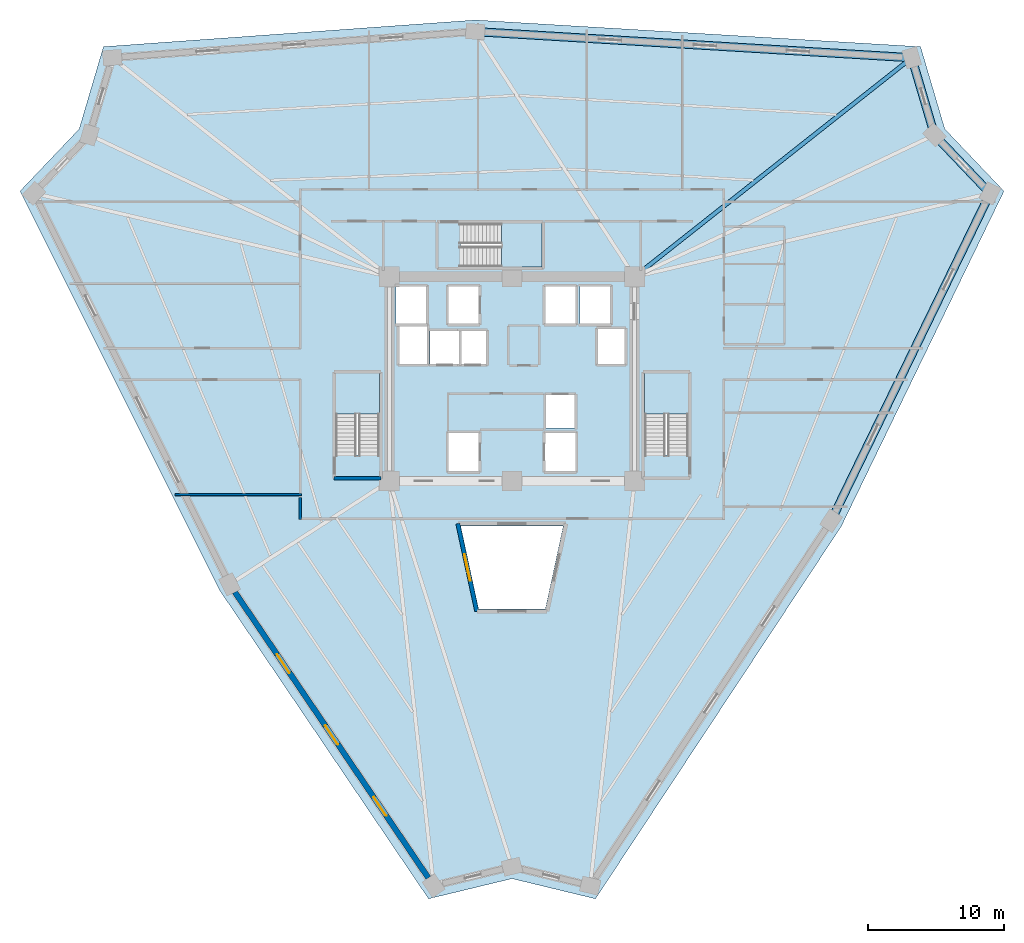
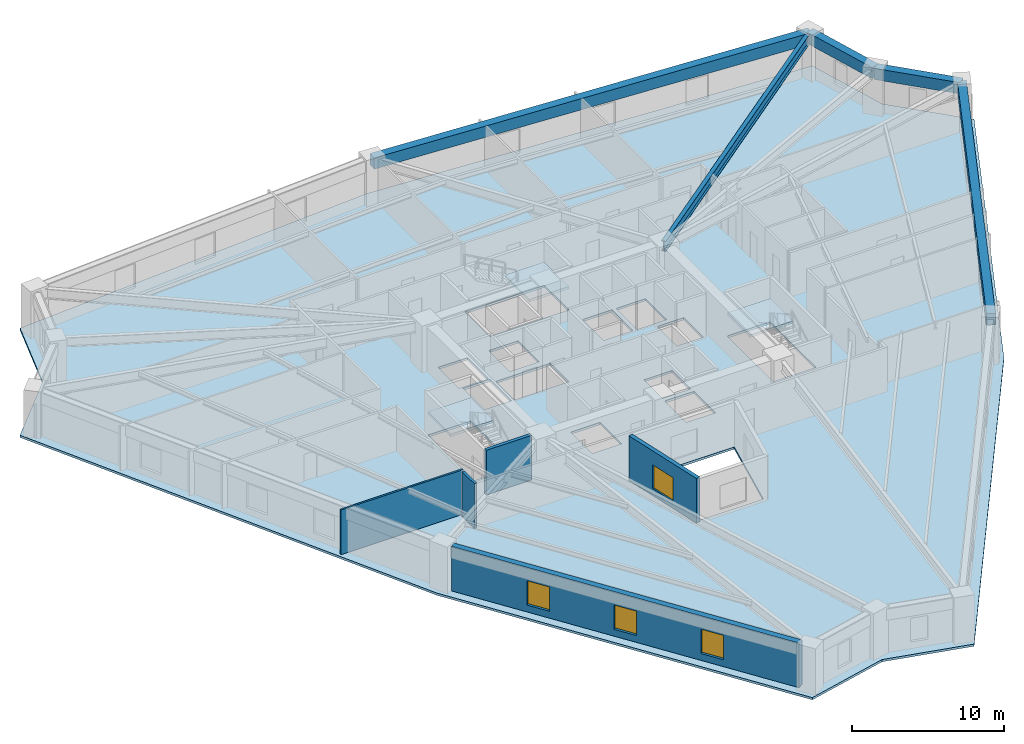
# One storey, part 2 of 8: 5 beams, 5 walls, 4 slabs, 4 windows, 4 openings, 3 elements without a shape of their own.
"""IFC4 building model written with IfcOpenShell, lengths in metres."""

from ifc_helpers import new_model, si_unit, direction, frame, frame_2d, origin, origin_2d, place, context, subcontext, project, spatial, polyline, rectangle, i_section, outline, extrude, source, transform, mapped, material, layer, layer_set, material_profile, profile_set, type_object, element, fill, aggregate, save


model = new_model("IFC4")

# Units and contexts
model_context = context("Model", 3, precision=1e-05, world=origin(), true_north=direction((0.0, 1.0)))
body_context = subcontext(model_context, "Body", "Model", "MODEL_VIEW")
ifc_project = project(units=[si_unit("LENGTHUNIT", "METRE"), si_unit("AREAUNIT", "SQUARE_METRE"), si_unit("VOLUMEUNIT", "CUBIC_METRE"), si_unit("PLANEANGLEUNIT", "RADIAN"), si_unit("MASSUNIT", "GRAM", prefix="KILO")], contexts=[model_context])

# Site, building, storey
site_placement = place(None, origin())
site = spatial("IfcSite", under=ifc_project, at=site_placement, CompositionType="ELEMENT")
building_placement = place(site_placement, origin())
building = spatial("IfcBuilding", under=site, at=building_placement, Name="Liaohun Quay Tower", CompositionType="ELEMENT")
storey_placement = place(building_placement, frame((0.0, 0.0, 155.25)))
storey = spatial("IfcBuildingStorey", under=building, at=storey_placement, Name="L40", CompositionType="ELEMENT", Elevation=155.25)

# Beams
ifc_material_1 = material(Name="Steel Q355D", Category="steel")
ifc_material_profile_1 = material_profile(ifc_material_1, i_section(OverallWidth=0.300048828125, OverallDepth=0.800048828125, WebThickness=0.013916015625, FlangeThickness=0.02587890625, at=origin_2d()), Name="HN800x300x14x26")
ifc_profile_set_1 = profile_set([ifc_material_profile_1], Name="Steel Q355D")
beam_type_1 = type_object("IfcBeamType", Name="BM-RAD-M1", PredefinedType="BEAM", material=ifc_profile_set_1)
shared_shape_1 = source(origin(), body_context, "Body", "SweptSolid", [
    extrude(i_section(OverallWidth=0.300048828125, OverallDepth=0.800048828125, WebThickness=0.013916015625, FlangeThickness=0.02587890625, at=origin_2d()), origin(), (0.0, 0.0, 1.0), 25.94482421875),
])
beam_1_placement = place(storey_placement, frame((69.0, 61.5, 3.169921875), z_axis=(0.784625929971, 0.619969475069, 0.0), x_axis=(-0.619969475069, 0.784625929971, 0.0)))
element("IfcBeam", 1, at=beam_1_placement, inside=storey, type_object=beam_type_1, Name="L40 Radial Primary Girder CC4-PC07", PredefinedType="BEAM", context=body_context, shape_type="MappedRepresentation", body=[
    mapped(shared_shape_1, transform((0.0, 0.0, 0.0), x_axis=(1.0, 0.0, 0.0), y_axis=(0.0, 1.0, 0.0), z_axis=(0.0, 0.0, 1.0), scale=1.0)),
])
ifc_material_2 = material(Name="Precast concrete C55", Category="concrete")
ifc_material_profile_2 = material_profile(ifc_material_2, rectangle(XDim=0.60009765625, YDim=0.89990234375, at=origin_2d()), Name="RC600x900")
ifc_profile_set_2 = profile_set([ifc_material_profile_2], Name="Precast concrete C55")
beam_type_2 = type_object("IfcBeamType", Name="BM-SPD-Z2", PredefinedType="SPANDREL", material=ifc_profile_set_2)
shared_shape_2 = source(origin(), body_context, "Body", "SweptSolid", [
    extrude(rectangle(XDim=0.60009765625, YDim=0.89990234375, at=origin_2d()), origin(), (0.0, 0.0, 1.0), 32.109375),
])
beam_2_placement = place(storey_placement, frame((57.304931640625, 79.5048828125, 3.1201171875), z_axis=(0.998210795358, -0.059793043338, 0.0), x_axis=(0.059793043338, 0.998210795358, 0.0)))
element("IfcBeam", 2, at=beam_2_placement, inside=storey, type_object=beam_type_2, Name="L40 Precast Spandrel Beam PC06-PC07", PredefinedType="SPANDREL", context=body_context, shape_type="MappedRepresentation", body=[
    mapped(shared_shape_2, transform((0.0, 0.0, 0.0), x_axis=(1.0, 0.0, 0.0), y_axis=(0.0, 1.0, 0.0), z_axis=(0.0, 0.0, 1.0), scale=1.0)),
])
shared_shape_3 = source(origin(), body_context, "Body", "SweptSolid", [
    extrude(rectangle(XDim=0.60009765625, YDim=0.89990234375, at=origin_2d()), origin(), (0.0, 0.0, 1.0), 5.911376953125),
])
beam_3_placement = place(storey_placement, frame((89.35693359375, 77.5849609375, 3.1201171875), z_axis=(0.282866118906, -0.959159402172, 0.0), x_axis=(0.959159402172, 0.282866118906, 0.0)))
element("IfcBeam", 3, at=beam_3_placement, inside=storey, type_object=beam_type_2, Name="L40 Precast Spandrel Beam PC07-PC08", PredefinedType="SPANDREL", context=body_context, shape_type="MappedRepresentation", body=[
    mapped(shared_shape_3, transform((0.0, 0.0, 0.0), x_axis=(1.0, 0.0, 0.0), y_axis=(0.0, 1.0, 0.0), z_axis=(0.0, 0.0, 1.0), scale=1.0)),
])
shared_shape_4 = source(origin(), body_context, "Body", "SweptSolid", [
    extrude(rectangle(XDim=0.60009765625, YDim=0.89990234375, at=origin_2d()), origin(), (0.0, 0.0, 1.0), 5.92041015625),
])
beam_4_placement = place(storey_placement, frame((91.029052734375, 71.9150390625, 3.1201171875), z_axis=(0.689321474859, -0.724455591668, 0.0), x_axis=(0.724455591668, 0.689321474859, 0.0)))
element("IfcBeam", 4, at=beam_4_placement, inside=storey, type_object=beam_type_2, Name="L40 Precast Spandrel Beam PC08-PC09", PredefinedType="SPANDREL", context=body_context, shape_type="MappedRepresentation", body=[
    mapped(shared_shape_4, transform((0.0, 0.0, 0.0), x_axis=(1.0, 0.0, 0.0), y_axis=(0.0, 1.0, 0.0), z_axis=(0.0, 0.0, 1.0), scale=1.0)),
])
shared_shape_5 = source(origin(), body_context, "Body", "SweptSolid", [
    extrude(rectangle(XDim=0.60009765625, YDim=0.89990234375, at=origin_2d()), origin(), (0.0, 0.0, 1.0), 26.728271484375),
])
beam_5_placement = place(storey_placement, frame((95.110107421875, 67.6259765625, 3.1201171875), z_axis=(-0.436770293238, -0.899573071487, 0.0), x_axis=(0.899573071487, -0.436770293238, 0.0)))
element("IfcBeam", 5, at=beam_5_placement, inside=storey, type_object=beam_type_2, Name="L40 Precast Spandrel Beam PC09-PC10", PredefinedType="SPANDREL", context=body_context, shape_type="MappedRepresentation", body=[
    mapped(shared_shape_5, transform((0.0, 0.0, 0.0), x_axis=(1.0, 0.0, 0.0), y_axis=(0.0, 1.0, 0.0), z_axis=(0.0, 0.0, 1.0), scale=1.0)),
])

# Stair, slab
ifc_material_3 = material(Name="Concrete C45", Category="concrete")
stair_type = type_object("IfcStairType", Name="STR-CORE-OFF", PredefinedType="HALF_TURN_STAIR", material=ifc_material_3)
stair_1_placement = place(storey_placement, origin())
stair_1 = element("IfcStair", 6, at=stair_1_placement, inside=storey, type_object=stair_type, Name="L40 Smokeproof Core Exit Stair ST-1", PredefinedType="HALF_TURN_STAIR")
ifc_layer_1 = layer(ifc_material_3, 0.199951171875, Name="Concrete C45", Category="concrete")
ifc_layer_set_1 = layer_set([ifc_layer_1], Name="Concrete C45")
slab_type_1 = type_object("IfcSlabType", Name="SLB-LND-200", PredefinedType="LANDING", material=ifc_layer_set_1)
slab_1_placement = place(storey_placement, frame((0.0, 0.0, 1.675048828125)))
slab_1 = element("IfcSlab", 7, at=slab_1_placement, type_object=slab_type_1, Name="ST-1 landing 1", PredefinedType="LANDING", context=body_context, shape_type="SweptSolid", body=[
    extrude(outline(polyline([(50.280029296875, 51.429931640625), (50.280029296875, 54.419921875), (47.0400390625, 54.419921875), (47.0400390625, 51.429931640625), (50.280029296875, 51.429931640625)])), origin(), (0.0, 0.0, 1.0), 0.199951171875),
])
aggregate(stair_1, [slab_1])

stair_2_placement = place(storey_placement, origin())
stair_2 = element("IfcStair", 8, at=stair_2_placement, inside=storey, type_object=stair_type, Name="L40 Smokeproof Core Exit Stair ST-2", PredefinedType="HALF_TURN_STAIR")
slab_2_placement = place(storey_placement, frame((0.0, 0.0, 1.675048828125)))
slab_2 = element("IfcSlab", 9, at=slab_2_placement, type_object=slab_type_1, Name="ST-2 landing 1", PredefinedType="LANDING", context=body_context, shape_type="SweptSolid", body=[
    extrude(outline(polyline([(72.9599609375, 51.429931640625), (72.9599609375, 54.419921875), (69.719970703125, 54.419921875), (69.719970703125, 51.429931640625), (72.9599609375, 51.429931640625)])), origin(), (0.0, 0.0, 1.0), 0.199951171875),
])
aggregate(stair_2, [slab_2])

stair_3_placement = place(storey_placement, origin())
stair_3 = element("IfcStair", 10, at=stair_3_placement, inside=storey, type_object=stair_type, Name="L40 Smokeproof Core Exit Stair ST-3", PredefinedType="HALF_TURN_STAIR")
slab_3_placement = place(storey_placement, frame((0.0, 0.0, 1.675048828125)))
slab_3 = element("IfcSlab", 11, at=slab_3_placement, type_object=slab_type_1, Name="ST-3 landing 1", PredefinedType="LANDING", context=body_context, shape_type="SweptSolid", body=[
    extrude(outline(polyline([(59.22998046875, 62.199951171875), (62.219970703125, 62.199951171875), (62.219970703125, 65.43994140625), (59.22998046875, 65.43994140625), (59.22998046875, 62.199951171875)])), origin(), (0.0, 0.0, 1.0), 0.199951171875),
])
aggregate(stair_3, [slab_3])

# Slab
ifc_layer_2 = layer(ifc_material_3, 0.179931640625, Name="Concrete C45", Category="concrete")
ifc_layer_set_2 = layer_set([ifc_layer_2], Name="Concrete C45")
slab_type_2 = type_object("IfcSlabType", Name="SLB-OFF-180", PredefinedType="FLOOR", material=ifc_layer_set_2)
slab_4_placement = place(storey_placement, frame((0.0, 0.0, -0.179931640625)))
element("IfcSlab", 12, at=slab_4_placement, inside=storey, type_object=slab_type_2, Name="L40 Structural Floor Slab", PredefinedType="FLOOR", context=body_context, shape_type="SweptSolid", body=[
    extrude(outline(polyline([(53.8720703125, 15.81689453125), (60.0, 17.297119140625), (66.1279296875, 15.81689453125), (84.176025390625, 43.159912109375), (96.132080078125, 67.784912109375), (91.785888671875, 72.35205078125), (90.00390625, 78.39794921875), (57.300048828125, 80.35693359375), (29.99609375, 78.39794921875), (28.214111328125, 72.35205078125), (23.867919921875, 67.784912109375), (38.52490234375, 38.48291015625), (53.8720703125, 15.81689453125)]), holes=[polyline([(57.56005859375, 50.030029296875), (55.340087890625, 50.030029296875), (55.340087890625, 47.2099609375), (57.56005859375, 47.2099609375), (57.56005859375, 50.030029296875)]), polyline([(50.280029296875, 54.419921875), (47.0400390625, 54.419921875), (47.0400390625, 48.409912109375), (50.280029296875, 48.409912109375), (50.280029296875, 54.419921875)]), polyline([(53.989990234375, 55.090087890625), (58.110107421875, 55.090087890625), (58.110107421875, 57.510009765625), (53.989990234375, 57.510009765625), (53.989990234375, 55.090087890625)]), polyline([(53.760009765625, 55.090087890625), (53.760009765625, 57.909912109375), (51.7099609375, 57.909912109375), (51.7099609375, 55.090087890625), (53.760009765625, 55.090087890625)]), polyline([(53.7099609375, 58.0400390625), (53.7099609375, 60.7900390625), (51.489990234375, 60.7900390625), (51.489990234375, 58.0400390625), (53.7099609375, 58.0400390625)]), polyline([(57.56005859375, 58.0400390625), (57.56005859375, 60.7900390625), (55.340087890625, 60.7900390625), (55.340087890625, 58.0400390625), (57.56005859375, 58.0400390625)]), polyline([(62.219970703125, 62.199951171875), (62.219970703125, 65.43994140625), (56.2099609375, 65.43994140625), (56.2099609375, 62.199951171875), (62.219970703125, 62.199951171875)]), polyline([(62.448974609375, 37.10009765625), (63.76708984375, 43.199951171875), (56.23291015625, 43.199951171875), (57.551025390625, 37.10009765625), (62.448974609375, 37.10009765625)]), polyline([(64.659912109375, 47.2099609375), (64.659912109375, 50.030029296875), (62.43994140625, 50.030029296875), (62.43994140625, 47.2099609375), (64.659912109375, 47.2099609375)]), polyline([(72.9599609375, 54.419921875), (69.719970703125, 54.419921875), (69.719970703125, 48.409912109375), (72.9599609375, 48.409912109375), (72.9599609375, 54.419921875)]), polyline([(64.610107421875, 50.389892578125), (64.610107421875, 52.81005859375), (62.489990234375, 52.81005859375), (62.489990234375, 50.389892578125), (64.610107421875, 50.389892578125)]), polyline([(68.2900390625, 55.090087890625), (68.2900390625, 57.659912109375), (66.2900390625, 57.659912109375), (66.2900390625, 55.090087890625), (68.2900390625, 55.090087890625)]), polyline([(64.659912109375, 58.0400390625), (64.659912109375, 60.7900390625), (62.43994140625, 60.7900390625), (62.43994140625, 58.0400390625), (64.659912109375, 58.0400390625)]), polyline([(67.2099609375, 58.0400390625), (67.2099609375, 60.7900390625), (64.989990234375, 60.7900390625), (64.989990234375, 58.0400390625), (67.2099609375, 58.0400390625)])]), origin(), (0.0, 0.0, 1.0), 0.179931640625),
])

# Wall, opening, window
ifc_material_4 = material(Name="Concrete C50", Category="concrete")
ifc_layer_3 = layer(ifc_material_4, 0.300048828125, Name="Concrete C50", Category="concrete")
ifc_layer_set_3 = layer_set([ifc_layer_3], Name="Concrete C50")
wall_type_1 = type_object("IfcWallType", Name="WAL-ATR-300", PredefinedType="SOLIDWALL", material=ifc_layer_set_3)
wall_1_placement = place(storey_placement, frame((57.4140625, 36.929931640625, 0.0), z_axis=(0.0, 0.0, 1.0), x_axis=(-0.211277302898, 0.977426161549, 0.0)))
wall_1 = element("IfcWall", 13, at=wall_1_placement, inside=storey, type_object=wall_type_1, Name="L40 Atrium Fire Compartment Wall 1", PredefinedType="SOLIDWALL", context=body_context, shape_type="SweptSolid", body=[
    extrude(rectangle(XDim=6.5888671875, YDim=0.300048828125, at=frame_2d((3.29443359375, 0.0))), origin(), (0.0, 0.0, 1.0), 3.570068359375),
])
shared_shape_6 = source(origin(), body_context, "Body", "SweptSolid", [
    extrude(rectangle(XDim=2.0, YDim=1.89990234375, at=frame_2d((1.0, 0.949951171875))), frame((0.0, 0.159912109375, 0.0), z_axis=(0.0, -1.0, 0.0), x_axis=(1.0, 0.0, 0.0)), (0.0, 0.0, 1.0), 0.320068359375),
])
opening_1_placement = place(wall_1_placement, frame((2.2939453125, 0.0, 0.550048828125)))
opening_1 = element("IfcOpeningElement", 14, at=opening_1_placement, cuts=wall_1, Name="Opening W07", PredefinedType="OPENING", context=body_context, shape_type="MappedRepresentation", body=[
    mapped(shared_shape_6, transform((0.0, 0.0, 0.0), x_axis=(1.0, 0.0, 0.0), y_axis=(0.0, 1.0, 0.0), z_axis=(0.0, 0.0, 1.0), scale=1.0)),
])
ifc_material_5 = material(Name="Class A 180-min fire-resistant insulated glazing", Category="glass")
window_type_1 = type_object("IfcWindowType", Name="WIN-ATR-FIR", PartitioningType="DOUBLE_PANEL_VERTICAL", PredefinedType="WINDOW", material=ifc_material_5)
shared_shape_7 = source(origin(), body_context, "Body", "SweptSolid", [
    extrude(rectangle(XDim=2.0, YDim=1.89990234375, at=frame_2d((1.0, 0.949951171875))), frame((0.0, 0.030029296875, 0.0), z_axis=(0.0, -1.0, 0.0), x_axis=(1.0, 0.0, 0.0)), (0.0, 0.0, 1.0), 0.06005859375),
])
window_1_placement = place(opening_1_placement, origin())
window_1 = element("IfcWindow", 15, at=window_1_placement, inside=storey, type_object=window_type_1, Name="L40 Atrium Fire-Resistant Glazing W07-1", OverallHeight=1.89990234375, OverallWidth=2.0, PartitioningType="DOUBLE_PANEL_VERTICAL", PredefinedType="WINDOW", context=body_context, shape_type="MappedRepresentation", body=[
    mapped(shared_shape_7, transform((0.0, 0.0, 0.0), x_axis=(1.0, 0.0, 0.0), y_axis=(0.0, 1.0, 0.0), z_axis=(0.0, 0.0, 1.0), scale=1.0)),
])
fill(opening_1, window_1)

# Wall, openings, windows
ifc_material_6 = material(Name="Precast concrete C50 insulated sandwich", Category="concrete")
ifc_layer_4 = layer(ifc_material_6, 0.419921875, Name="Precast concrete C50 insulated sandwich", Category="concrete")
ifc_layer_set_4 = layer_set([ifc_layer_4], Name="Precast concrete C50 insulated sandwich")
wall_type_2 = type_object("IfcWallType", Name="WAL-EXT-Z12", PredefinedType="SOLIDWALL", material=ifc_layer_set_4)
wall_2_placement = place(storey_placement, frame((39.64697265625, 38.342041015625, 0.0), z_axis=(0.0, 0.0, 1.0), x_axis=(0.560647296893, -0.828054713462, 0.0)))
wall_2 = element("IfcWall", 16, at=wall_2_placement, inside=storey, type_object=wall_type_2, Name="L40 Brutalist Precast Pier Wall 11", PredefinedType="SOLIDWALL", context=body_context, shape_type="SweptSolid", body=[
    extrude(rectangle(XDim=25.347412109375, YDim=0.419921875, at=frame_2d((12.673828125, 0.0))), origin(), (0.0, 0.0, 1.0), 3.570068359375),
])
shared_shape_8 = source(origin(), body_context, "Body", "SweptSolid", [
    extrude(rectangle(XDim=1.64990234375, YDim=1.949951171875, at=frame_2d((0.824951171875, 0.97509765625))), frame((0.0, 0.219970703125, 0.0), z_axis=(0.0, -1.0, 0.0), x_axis=(1.0, 0.0, 0.0)), (0.0, 0.0, 1.0), 0.43994140625),
])
opening_2_placement = place(wall_2_placement, frame((5.511962890625, 0.0, 0.550048828125)))
opening_2 = element("IfcOpeningElement", 17, at=opening_2_placement, cuts=wall_2, Name="Opening W02", PredefinedType="OPENING", context=body_context, shape_type="MappedRepresentation", body=[
    mapped(shared_shape_8, transform((0.0, 0.0, 0.0), x_axis=(1.0, 0.0, 0.0), y_axis=(0.0, 1.0, 0.0), z_axis=(0.0, 0.0, 1.0), scale=1.0)),
])
opening_3_placement = place(wall_2_placement, frame((11.84912109375, 0.0, 0.550048828125)))
opening_3 = element("IfcOpeningElement", 18, at=opening_3_placement, cuts=wall_2, Name="Opening W02", PredefinedType="OPENING", context=body_context, shape_type="MappedRepresentation", body=[
    mapped(shared_shape_8, transform((0.0, 0.0, 0.0), x_axis=(1.0, 0.0, 0.0), y_axis=(0.0, 1.0, 0.0), z_axis=(0.0, 0.0, 1.0), scale=1.0)),
])
opening_4_placement = place(wall_2_placement, frame((18.18603515625, 0.0, 0.550048828125)))
opening_4 = element("IfcOpeningElement", 19, at=opening_4_placement, cuts=wall_2, Name="Opening W02", PredefinedType="OPENING", context=body_context, shape_type="MappedRepresentation", body=[
    mapped(shared_shape_8, transform((0.0, 0.0, 0.0), x_axis=(1.0, 0.0, 0.0), y_axis=(0.0, 1.0, 0.0), z_axis=(0.0, 0.0, 1.0), scale=1.0)),
])
ifc_material_7 = material(Name="Triple Low-E argon glazing in thermally broken aluminium", Category="aluminium")
window_type_2 = type_object("IfcWindowType", Name="WIN-PUN-Z2", PartitioningType="DOUBLE_PANEL_VERTICAL", PredefinedType="WINDOW", material=ifc_material_7)
shared_shape_9 = source(origin(), body_context, "Body", "SweptSolid", [
    extrude(rectangle(XDim=1.64990234375, YDim=1.949951171875, at=frame_2d((0.824951171875, 0.97509765625))), frame((0.0, 0.030029296875, 0.0), z_axis=(0.0, -1.0, 0.0), x_axis=(1.0, 0.0, 0.0)), (0.0, 0.0, 1.0), 0.06005859375),
])
window_2_placement = place(opening_2_placement, origin())
window_2 = element("IfcWindow", 20, at=window_2_placement, inside=storey, type_object=window_type_2, Name="L40 Recessed Cold-Climate Punched Window 11-1", OverallHeight=1.949951171875, OverallWidth=1.64990234375, PartitioningType="DOUBLE_PANEL_VERTICAL", PredefinedType="WINDOW", context=body_context, shape_type="MappedRepresentation", body=[
    mapped(shared_shape_9, transform((0.0, 0.0, 0.0), x_axis=(1.0, 0.0, 0.0), y_axis=(0.0, 1.0, 0.0), z_axis=(0.0, 0.0, 1.0), scale=1.0)),
])
fill(opening_2, window_2)
window_3_placement = place(opening_3_placement, origin())
window_3 = element("IfcWindow", 21, at=window_3_placement, inside=storey, type_object=window_type_2, Name="L40 Recessed Cold-Climate Punched Window 11-2", OverallHeight=1.949951171875, OverallWidth=1.64990234375, PartitioningType="DOUBLE_PANEL_VERTICAL", PredefinedType="WINDOW", context=body_context, shape_type="MappedRepresentation", body=[
    mapped(shared_shape_9, transform((0.0, 0.0, 0.0), x_axis=(1.0, 0.0, 0.0), y_axis=(0.0, 1.0, 0.0), z_axis=(0.0, 0.0, 1.0), scale=1.0)),
])
fill(opening_3, window_3)
window_4_placement = place(opening_4_placement, origin())
window_4 = element("IfcWindow", 22, at=window_4_placement, inside=storey, type_object=window_type_2, Name="L40 Recessed Cold-Climate Punched Window 11-3", OverallHeight=1.949951171875, OverallWidth=1.64990234375, PartitioningType="DOUBLE_PANEL_VERTICAL", PredefinedType="WINDOW", context=body_context, shape_type="MappedRepresentation", body=[
    mapped(shared_shape_9, transform((0.0, 0.0, 0.0), x_axis=(1.0, 0.0, 0.0), y_axis=(0.0, 1.0, 0.0), z_axis=(0.0, 0.0, 1.0), scale=1.0)),
])
fill(opening_4, window_4)

# Walls
ifc_material_8 = material(Name="Autoclaved aerated concrete blockwork", Category="masonry")
ifc_layer_5 = layer(ifc_material_8, 0.179931640625, Name="Autoclaved aerated concrete blockwork", Category="masonry")
ifc_layer_set_5 = layer_set([ifc_layer_5], Name="Autoclaved aerated concrete blockwork")
wall_type_3 = type_object("IfcWallType", Name="WAL-PRT-COR", PredefinedType="PARTITIONING", material=ifc_layer_set_5)
wall_3_placement = place(storey_placement, frame((44.43994140625, 43.669921875, 0.0), z_axis=(0.0, 0.0, 1.0), x_axis=(0.0, 1.0, 0.0)))
element("IfcWall", 23, at=wall_3_placement, inside=storey, type_object=wall_type_3, Name="L40 Interior Partition Wall 037", PredefinedType="PARTITIONING", context=body_context, shape_type="SweptSolid", body=[
    extrude(rectangle(XDim=1.614990234375, YDim=0.179931640625, at=frame_2d((0.8076171875, 0.0))), origin(), (0.0, 0.0, 1.0), 3.570068359375),
])
ifc_material_9 = material(Name="Gypsum board on twin steel studs", Category="steel")
ifc_layer_6 = layer(ifc_material_9, 0.139892578125, Name="Gypsum board on twin steel studs", Category="steel")
ifc_layer_set_6 = layer_set([ifc_layer_6], Name="Gypsum board on twin steel studs")
wall_type_4 = type_object("IfcWallType", Name="WAL-PRT-OFF", PredefinedType="PARTITIONING", material=ifc_layer_set_6)
wall_4_placement = place(storey_placement, frame((44.5400390625, 45.5, 0.0), z_axis=(0.0, 0.0, 1.0), x_axis=(-1.0, 0.0, 0.0)))
element("IfcWall", 24, at=wall_4_placement, inside=storey, type_object=wall_type_4, Name="L40 Interior Partition Wall 040", PredefinedType="PARTITIONING", context=body_context, shape_type="SweptSolid", body=[
    extrude(rectangle(XDim=9.279052734375, YDim=0.139892578125, at=frame_2d((4.6396484375, 0.0))), origin(), (0.0, 0.0, 1.0), 3.570068359375),
])
ifc_layer_7 = layer(ifc_material_4, 0.239990234375, Name="Concrete C50", Category="concrete")
ifc_layer_set_7 = layer_set([ifc_layer_7], Name="Concrete C50")
wall_type_5 = type_object("IfcWallType", Name="WAL-SHF-200", PredefinedType="SOLIDWALL", material=ifc_layer_set_7)
wall_5_placement = place(storey_placement, frame((46.93994140625, 46.699951171875, 0.0), z_axis=(0.0, 0.0, 1.0), x_axis=(1.0, 0.0, 0.0)))
element("IfcWall", 25, at=wall_5_placement, inside=storey, type_object=wall_type_5, Name="L40 Stairwell ST-1 Structural Core Wall S", PredefinedType="SOLIDWALL", context=body_context, shape_type="SweptSolid", body=[
    extrude(rectangle(XDim=3.43994140625, YDim=0.239990234375, at=frame_2d((1.719970703125, 0.0))), origin(), (0.0, 0.0, 1.0), 3.570068359375),
])

save(model, "model.ifc")
